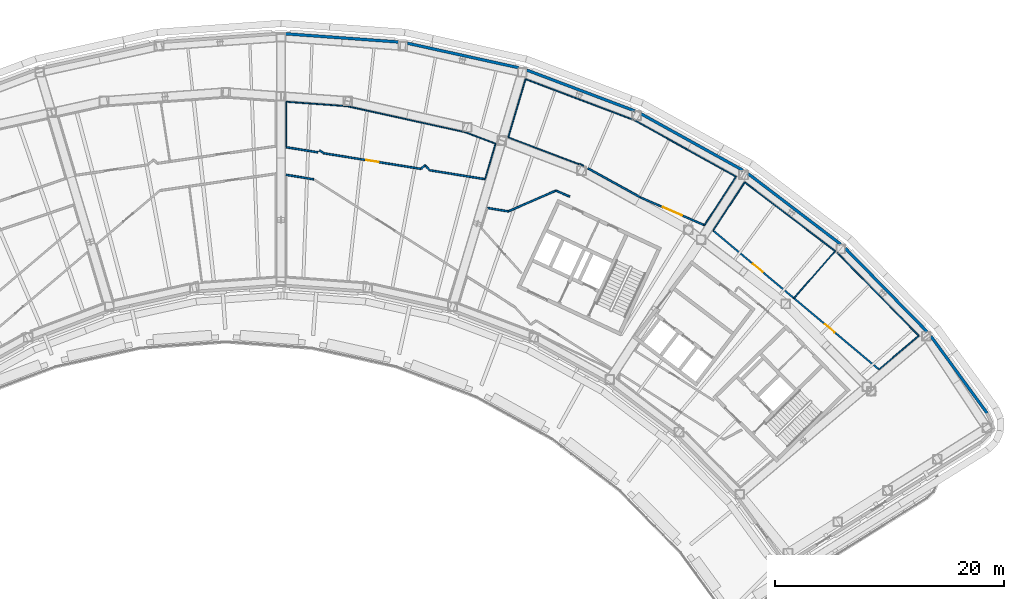
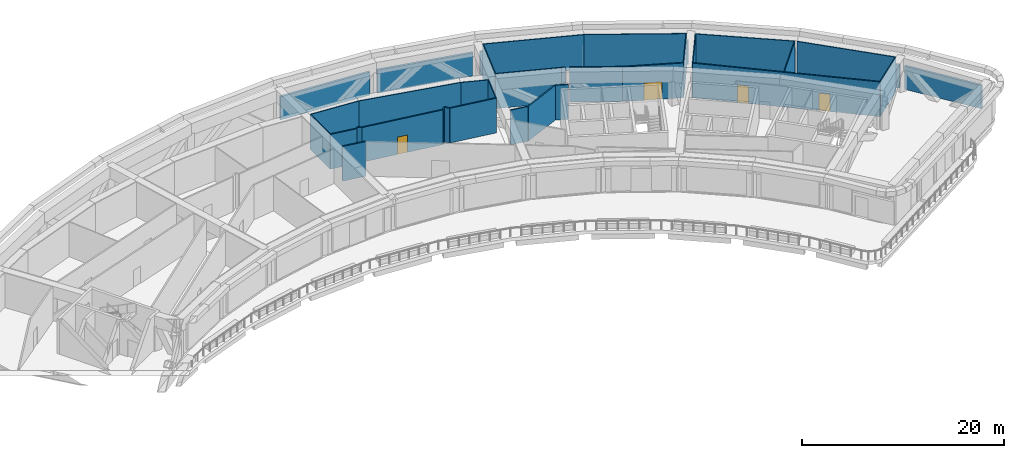
# One storey, part 11 of 25: 36 walls, 4 doors, 4 openings.
"""IFC4 building model written with IfcOpenShell, lengths in metres."""

from ifc_helpers import new_model, si_unit, direction, frame, frame_2d, origin, place, context, subcontext, project, spatial, rectangle, extrude, material, layer, layer_set, type_object, element, fill, save


model = new_model("IFC4")

# Units and contexts
model_context = context("Model", 3, precision=1e-05, world=origin(), true_north=direction((0.0, 1.0)))
body_context = subcontext(model_context, "Body", "Model", "MODEL_VIEW")
ifc_project = project(units=[si_unit("LENGTHUNIT", "METRE"), si_unit("AREAUNIT", "SQUARE_METRE"), si_unit("VOLUMEUNIT", "CUBIC_METRE"), si_unit("PLANEANGLEUNIT", "RADIAN"), si_unit("MASSUNIT", "GRAM", prefix="KILO")], contexts=[model_context])

# Site, building, storey
site_placement = place(None, origin())
site = spatial("IfcSite", under=ifc_project, at=site_placement, CompositionType="ELEMENT")
building_placement = place(site_placement, origin())
building = spatial("IfcBuilding", under=site, at=building_placement, Name="Tuul Gate Civic Tower", CompositionType="ELEMENT")
storey_placement = place(building_placement, frame((0.0, 0.0, 60.89990234375)))
storey = spatial("IfcBuildingStorey", under=building, at=storey_placement, Name="Plant and refuge floor 2", CompositionType="ELEMENT", Elevation=60.89990234375)

# Wall, openings, doors
ifc_material_1 = material(Name="Gypsum board partition")
ifc_layer_1 = layer(ifc_material_1, 0.14990234375)
ifc_layer_set_1 = layer_set([ifc_layer_1], Name="Gypsum board partition")
wall_type_1 = type_object("IfcWallType", Name="Corridor wall P150", PredefinedType="PARTITIONING", material=ifc_layer_set_1)
wall_1_placement = place(storey_placement, frame((42.567626953125, 1.812744140625, 0.0), z_axis=(0.0, 0.0, 1.0), x_axis=(0.766590795082, -0.642135930233, 0.0)))
wall_1 = element("IfcWall", 1, at=wall_1_placement, inside=storey, type_object=wall_type_1, Name="p008", PredefinedType="PARTITIONING", context=body_context, shape_type="SweptSolid", body=[
    extrude(rectangle(XDim=18.892822265625, YDim=0.14990234375, at=frame_2d((9.4462890625, 0.0))), origin(), (0.0, 0.0, 1.0), 4.2001953125),
])
opening_1_placement = place(wall_1_placement, frame((12.74609375, 0.0, 0.0)))
opening_1 = element("IfcOpeningElement", 2, at=opening_1_placement, cuts=wall_1, Name="Opening PA-D022", PredefinedType="OPENING", context=body_context, shape_type="SweptSolid", body=[
    extrude(rectangle(XDim=1.10009765625, YDim=2.10009765625, at=frame_2d((0.550048828125, 1.050048828125))), frame((0.0, 0.0849609375, 0.0), z_axis=(0.0, -1.0, 0.0), x_axis=(1.0, 0.0, 0.0)), (0.0, 0.0, 1.0), 0.169921875),
])
opening_2_placement = place(wall_1_placement, frame((4.550048828125, 0.0, 0.0)))
opening_2 = element("IfcOpeningElement", 3, at=opening_2_placement, cuts=wall_1, Name="Opening PA-D03", PredefinedType="OPENING", context=body_context, shape_type="SweptSolid", body=[
    extrude(rectangle(XDim=1.10009765625, YDim=2.10009765625, at=frame_2d((0.550048828125, 1.050048828125))), frame((0.0, 0.0849609375, 0.0), z_axis=(0.0, -1.0, 0.0), x_axis=(1.0, 0.0, 0.0)), (0.0, 0.0, 1.0), 0.169921875),
])
ifc_material_2 = material(Name="Timber door leaf", Category="wood")
door_type_1 = type_object("IfcDoorType", Name="Door D11", OperationType="NOTDEFINED", PredefinedType="DOOR", material=ifc_material_2)
door_1_placement = place(opening_1_placement, origin())
door_1 = element("IfcDoor", 4, at=door_1_placement, inside=storey, type_object=door_type_1, Name="Door PA-D02", OperationType="SINGLE_SWING_RIGHT", OverallHeight=2.10009765625, OverallWidth=1.10009765625, PredefinedType="DOOR", context=body_context, shape_type="SweptSolid", body=[
    extrude(rectangle(XDim=1.10009765625, YDim=2.10009765625, at=frame_2d((0.550048828125, 1.050048828125))), frame((0.0, 0.02490234375, 0.0), z_axis=(0.0, -1.0, 0.0), x_axis=(1.0, 0.0, 0.0)), (0.0, 0.0, 1.0), 0.050048828125),
])
fill(opening_1, door_1)
door_2_placement = place(opening_2_placement, origin())
door_2 = element("IfcDoor", 5, at=door_2_placement, inside=storey, type_object=door_type_1, Name="Door PA-D03", OperationType="SINGLE_SWING_RIGHT", OverallHeight=2.10009765625, OverallWidth=1.10009765625, PredefinedType="DOOR", context=body_context, shape_type="SweptSolid", body=[
    extrude(rectangle(XDim=1.10009765625, YDim=2.10009765625, at=frame_2d((0.550048828125, 1.050048828125))), frame((0.0, 0.02490234375, 0.0), z_axis=(0.0, -1.0, 0.0), x_axis=(1.0, 0.0, 0.0)), (0.0, 0.0, 1.0), 0.050048828125),
])
fill(opening_2, door_2)

# Walls
wall_2_placement = place(storey_placement, frame((8.16796875, 8.81787109375, 0.0), z_axis=(0.0, 0.0, 1.0), x_axis=(0.844451320283, -0.535632306412, 0.0)))
element("IfcWall", 6, at=wall_2_placement, inside=storey, type_object=wall_type_1, Name="p010", PredefinedType="PARTITIONING", context=body_context, shape_type="SweptSolid", body=[
    extrude(rectangle(XDim=0.470458984375, YDim=0.14990234375, at=frame_2d((0.2353515625, 0.0))), origin(), (0.0, 0.0, 1.0), 4.2001953125),
])
wall_3_placement = place(storey_placement, frame((31.623046875, 7.2578125, 0.0), z_axis=(0.0, 0.0, 1.0), x_axis=(0.874531313559, -0.484969052213, 0.0)))
element("IfcWall", 7, at=wall_3_placement, inside=storey, type_object=wall_type_1, Name="p013", PredefinedType="PARTITIONING", context=body_context, shape_type="SweptSolid", body=[
    extrude(rectangle(XDim=5.26123046875, YDim=0.14990234375, at=frame_2d((2.630615234375, 0.0))), origin(), (0.0, 0.0, 1.0), 4.2001953125),
])

# Wall, opening, door
wall_4_placement = place(storey_placement, frame((36.22412109375, 4.706298828125, 0.0), z_axis=(0.0, 0.0, 1.0), x_axis=(0.917101337534, -0.39865415675, 0.0)))
wall_4 = element("IfcWall", 8, at=wall_4_placement, inside=storey, type_object=wall_type_1, Name="p014", PredefinedType="PARTITIONING", context=body_context, shape_type="SweptSolid", body=[
    extrude(rectangle(XDim=6.079345703125, YDim=0.14990234375, at=frame_2d((3.03955078125, 0.0))), origin(), (0.0, 0.0, 1.0), 4.2001953125),
])
opening_3_placement = place(wall_4_placement, frame((2.1396484375, 0.0, 0.0)))
opening_3 = element("IfcOpeningElement", 9, at=opening_3_placement, cuts=wall_4, Name="Opening PA-D062", PredefinedType="OPENING", context=body_context, shape_type="SweptSolid", body=[
    extrude(rectangle(XDim=1.800048828125, YDim=2.10009765625, at=frame_2d((0.89990234375, 1.050048828125))), frame((0.0, 0.0849609375, 0.0), z_axis=(0.0, -1.0, 0.0), x_axis=(1.0, 0.0, 0.0)), (0.0, 0.0, 1.0), 0.169921875),
])
ifc_material_3 = material(Name="Timber door leaf, double", Category="wood")
door_type_2 = type_object("IfcDoorType", Name="Door D18", OperationType="DOUBLE_DOOR_SINGLE_SWING", PredefinedType="DOOR", material=ifc_material_3)
door_3_placement = place(opening_3_placement, origin())
door_3 = element("IfcDoor", 10, at=door_3_placement, inside=storey, type_object=door_type_2, Name="Door PA-D06", OperationType="DOUBLE_DOOR_SINGLE_SWING", OverallHeight=2.10009765625, OverallWidth=1.800048828125, PredefinedType="DOOR", context=body_context, shape_type="SweptSolid", body=[
    extrude(rectangle(XDim=1.800048828125, YDim=2.10009765625, at=frame_2d((0.89990234375, 1.050048828125))), frame((0.0, 0.02490234375, 0.0), z_axis=(0.0, -1.0, 0.0), x_axis=(1.0, 0.0, 0.0)), (0.0, 0.0, 1.0), 0.050048828125),
])
fill(opening_3, door_3)

# Walls
wall_5_placement = place(storey_placement, frame((17.399658203125, 7.5263671875, 0.0), z_axis=(0.0, 0.0, 1.0), x_axis=(0.666114794858, -0.745849234143, 0.0)))
element("IfcWall", 11, at=wall_5_placement, inside=storey, type_object=wall_type_1, Name="p015", PredefinedType="PARTITIONING", context=body_context, shape_type="SweptSolid", body=[
    extrude(rectangle(XDim=0.587890625, YDim=0.14990234375, at=frame_2d((0.2939453125, 0.0))), origin(), (0.0, 0.0, 1.0), 4.2001953125),
])
wall_6_placement = place(storey_placement, frame((5.258056640625, 6.68701171875, 0.0), z_axis=(0.0, 0.0, 1.0), x_axis=(0.986707938186, -0.162503676023, 0.0)))
element("IfcWall", 12, at=wall_6_placement, inside=storey, type_object=wall_type_1, Name="p017", PredefinedType="PARTITIONING", context=body_context, shape_type="SweptSolid", body=[
    extrude(rectangle(XDim=2.4443359375, YDim=0.14990234375, at=frame_2d((1.22216796875, 0.0))), origin(), (0.0, 0.0, 1.0), 4.2001953125),
])
wall_7_placement = place(storey_placement, frame((22.829833984375, 3.793212890625, 0.0), z_axis=(0.0, 0.0, 1.0), x_axis=(0.986700424364, -0.162549292708, 0.0)))
element("IfcWall", 13, at=wall_7_placement, inside=storey, type_object=wall_type_1, Name="p018", PredefinedType="PARTITIONING", context=body_context, shape_type="SweptSolid", body=[
    extrude(rectangle(XDim=1.8623046875, YDim=0.14990234375, at=frame_2d((0.93115234375, 0.0))), origin(), (0.0, 0.0, 1.0), 4.2001953125),
])
wall_8_placement = place(storey_placement, frame((24.66845703125, 3.490478515625, 0.0), z_axis=(0.0, 0.0, 1.0), x_axis=(0.91645165789, 0.400145422004, 0.0)))
element("IfcWall", 14, at=wall_8_placement, inside=storey, type_object=wall_type_1, Name="p019", PredefinedType="PARTITIONING", context=body_context, shape_type="SweptSolid", body=[
    extrude(rectangle(XDim=4.527099609375, YDim=0.14990234375, at=frame_2d((2.263671875, 0.0))), origin(), (0.0, 0.0, 1.0), 4.2001953125),
])
wall_9_placement = place(storey_placement, frame((28.83349609375, 5.302001953125, 0.0), z_axis=(0.0, 0.0, 1.0), x_axis=(0.917070056253, -0.398726111414, 0.0)))
element("IfcWall", 15, at=wall_9_placement, inside=storey, type_object=wall_type_1, Name="p020", PredefinedType="PARTITIONING", context=body_context, shape_type="SweptSolid", body=[
    extrude(rectangle(XDim=1.310302734375, YDim=0.14990234375, at=frame_2d((0.6552734375, 0.0))), origin(), (0.0, 0.0, 1.0), 4.2001953125),
])
wall_10_placement = place(storey_placement, frame((17.045654296875, 7.210693359375, 0.0), z_axis=(0.0, 0.0, 1.0), x_axis=(0.745672443384, 0.666312694745, 0.0)))
element("IfcWall", 16, at=wall_10_placement, inside=storey, type_object=wall_type_1, Name="p021", PredefinedType="PARTITIONING", context=body_context, shape_type="SweptSolid", body=[
    extrude(rectangle(XDim=0.473876953125, YDim=0.14990234375, at=frame_2d((0.23681640625, 0.0))), origin(), (0.0, 0.0, 1.0), 4.2001953125),
])
wall_11_placement = place(storey_placement, frame((5.258056640625, 9.094970703125, 0.0), z_axis=(0.0, 0.0, 1.0), x_axis=(0.98736712374, -0.158449244104, 0.0)))
element("IfcWall", 17, at=wall_11_placement, inside=storey, type_object=wall_type_1, Name="p022", PredefinedType="PARTITIONING", context=body_context, shape_type="SweptSolid", body=[
    extrude(rectangle(XDim=2.82275390625, YDim=0.14990234375, at=frame_2d((1.411376953125, 0.0))), origin(), (0.0, 0.0, 1.0), 4.2001953125),
])

# Wall, opening, door
wall_12_placement = place(storey_placement, frame((8.57275390625, 8.56298828125, 0.0), z_axis=(0.0, 0.0, 1.0), x_axis=(0.987364560922, -0.158465213331, 0.0)))
wall_12 = element("IfcWall", 18, at=wall_12_placement, inside=storey, type_object=wall_type_1, Name="p023", PredefinedType="PARTITIONING", context=body_context, shape_type="SweptSolid", body=[
    extrude(rectangle(XDim=8.564453125, YDim=0.14990234375, at=frame_2d((4.2822265625, 0.0))), origin(), (0.0, 0.0, 1.0), 4.2001953125),
])
opening_4_placement = place(wall_12_placement, frame((3.732421875, 0.0, 0.0)))
opening_4 = element("IfcOpeningElement", 19, at=opening_4_placement, cuts=wall_12, Name="Opening PA-D08", PredefinedType="OPENING", context=body_context, shape_type="SweptSolid", body=[
    extrude(rectangle(XDim=1.10009765625, YDim=2.10009765625, at=frame_2d((0.550048828125, 1.050048828125))), frame((0.0, 0.0849609375, 0.0), z_axis=(0.0, -1.0, 0.0), x_axis=(1.0, 0.0, 0.0)), (0.0, 0.0, 1.0), 0.169921875),
])
door_4_placement = place(opening_4_placement, origin())
door_4 = element("IfcDoor", 20, at=door_4_placement, inside=storey, type_object=door_type_1, Name="Door PA-D08", OperationType="SINGLE_SWING_RIGHT", OverallHeight=2.10009765625, OverallWidth=1.10009765625, PredefinedType="DOOR", context=body_context, shape_type="SweptSolid", body=[
    extrude(rectangle(XDim=1.10009765625, YDim=2.10009765625, at=frame_2d((0.550048828125, 1.050048828125))), frame((0.0, 0.02490234375, 0.0), z_axis=(0.0, -1.0, 0.0), x_axis=(1.0, 0.0, 0.0)), (0.0, 0.0, 1.0), 0.050048828125),
])
fill(opening_4, door_4)

# Walls
wall_13_placement = place(storey_placement, frame((17.802978515625, 7.08154296875, 0.0), z_axis=(0.0, 0.0, 1.0), x_axis=(0.987363680453, -0.158470699256, 0.0)))
element("IfcWall", 21, at=wall_13_placement, inside=storey, type_object=wall_type_1, Name="p024", PredefinedType="PARTITIONING", context=body_context, shape_type="SweptSolid", body=[
    extrude(rectangle(XDim=4.8974609375, YDim=0.14990234375, at=frame_2d((2.44873046875, 0.0))), origin(), (0.0, 0.0, 1.0), 4.2001953125),
])
ifc_material_4 = material(Name="Precast concrete C40/50", Category="concrete")
ifc_layer_2 = layer(ifc_material_4, 0.25)
ifc_layer_set_2 = layer_set([ifc_layer_2], Name="Precast concrete C40/50")
wall_type_2 = type_object("IfcWallType", Name="External wall 2800 HIGH", PredefinedType="STANDARD", material=ifc_layer_set_2)
wall_14_placement = place(storey_placement, frame((66.498046875, -14.138671875, 0.0), z_axis=(0.0, 0.0, 1.0), x_axis=(-0.589827901293, 0.807528975862, 0.0)))
element("IfcWall", 22, at=wall_14_placement, inside=storey, type_object=wall_type_2, Name="External wall", PredefinedType="STANDARD", context=body_context, shape_type="SweptSolid", body=[
    extrude(rectangle(XDim=8.337890625, YDim=0.25, at=frame_2d((4.1689453125, 0.0))), origin(), (0.0, 0.0, 1.0), 2.800048828125),
])
wall_15_placement = place(storey_placement, frame((61.2431640625, -7.009033203125, 0.0), z_axis=(0.0, 0.0, 1.0), x_axis=(-0.700043638233, 0.714100066216, 0.0)))
element("IfcWall", 23, at=wall_15_placement, inside=storey, type_object=wall_type_2, Name="External wall", PredefinedType="STANDARD", context=body_context, shape_type="SweptSolid", body=[
    extrude(rectangle(XDim=10.1953125, YDim=0.25, at=frame_2d((5.09765625, 0.0))), origin(), (0.0, 0.0, 1.0), 2.800048828125),
])
wall_16_placement = place(storey_placement, frame((53.71630859375, 0.615966796875, 0.0), z_axis=(0.0, 0.0, 1.0), x_axis=(-0.795610476584, 0.605808525485, 0.0)))
element("IfcWall", 24, at=wall_16_placement, inside=storey, type_object=wall_type_2, Name="External wall", PredefinedType="STANDARD", context=body_context, shape_type="SweptSolid", body=[
    extrude(rectangle(XDim=10.1875, YDim=0.25, at=frame_2d((5.09375, 0.0))), origin(), (0.0, 0.0, 1.0), 2.800048828125),
])
wall_17_placement = place(storey_placement, frame((45.159423828125, 7.083984375, 0.0), z_axis=(0.0, 0.0, 1.0), x_axis=(-0.874604551877, 0.484836960055, 0.0)))
element("IfcWall", 25, at=wall_17_placement, inside=storey, type_object=wall_type_2, Name="External wall", PredefinedType="STANDARD", context=body_context, shape_type="SweptSolid", body=[
    extrude(rectangle(XDim=10.16162109375, YDim=0.25, at=frame_2d((5.080810546875, 0.0))), origin(), (0.0, 0.0, 1.0), 2.800048828125),
])
wall_18_placement = place(storey_placement, frame((35.732421875, 12.260986328125, 0.0), z_axis=(0.0, 0.0, 1.0), x_axis=(-0.935343112745, 0.353741800528, 0.0)))
element("IfcWall", 26, at=wall_18_placement, inside=storey, type_object=wall_type_2, Name="External wall", PredefinedType="STANDARD", context=body_context, shape_type="SweptSolid", body=[
    extrude(rectangle(XDim=10.1005859375, YDim=0.25, at=frame_2d((5.05029296875, 0.0))), origin(), (0.0, 0.0, 1.0), 2.800048828125),
])
wall_19_placement = place(storey_placement, frame((25.5830078125, 16.037109375, 0.0), z_axis=(0.0, 0.0, 1.0), x_axis=(-0.976569709229, 0.215201308119, 0.0)))
element("IfcWall", 27, at=wall_19_placement, inside=storey, type_object=wall_type_2, Name="External wall", PredefinedType="STANDARD", context=body_context, shape_type="SweptSolid", body=[
    extrude(rectangle(XDim=9.95849609375, YDim=0.25, at=frame_2d((4.979248046875, 0.0))), origin(), (0.0, 0.0, 1.0), 2.800048828125),
])
wall_20_placement = place(storey_placement, frame((15.05810546875, 18.290283203125, 0.0), z_axis=(0.0, 0.0, 1.0), x_axis=(-0.997387687721, 0.072234343517, 0.0)))
element("IfcWall", 28, at=wall_20_placement, inside=storey, type_object=wall_type_2, Name="External wall", PredefinedType="STANDARD", context=body_context, shape_type="SweptSolid", body=[
    extrude(rectangle(XDim=9.8759765625, YDim=0.25, at=frame_2d((4.93798828125, 0.0))), origin(), (0.0, 0.0, 1.0), 2.800048828125),
])
ifc_material_5 = material(Name="Gypsum board partition")
ifc_layer_3 = layer(ifc_material_5, 0.10009765625)
ifc_layer_set_3 = layer_set([ifc_layer_3], Name="Gypsum board partition")
wall_type_3 = type_object("IfcWallType", Name="Partition P100", PredefinedType="PARTITIONING", material=ifc_layer_set_3)
wall_21_placement = place(storey_placement, frame((49.619384765625, -4.09423828125, 0.0), z_axis=(0.0, 0.0, 1.0), x_axis=(0.659360789577, 0.751826674952, 0.0)))
element("IfcWall", 29, at=wall_21_placement, inside=storey, type_object=wall_type_3, Name="p007", PredefinedType="PARTITIONING", context=body_context, shape_type="SweptSolid", body=[
    extrude(rectangle(XDim=5.468017578125, YDim=0.10009765625, at=frame_2d((2.73388671875, 0.0))), origin(), (0.0, 0.0, 1.0), 4.2001953125),
])
wall_22_placement = place(storey_placement, frame((53.407470703125, -0.122314453125, 0.0), z_axis=(0.0, 0.0, 1.0), x_axis=(0.700007265961, -0.714135720716, 0.0)))
element("IfcWall", 30, at=wall_22_placement, inside=storey, type_object=wall_type_3, Name="p053", PredefinedType="PARTITIONING", context=body_context, shape_type="SweptSolid", body=[
    extrude(rectangle(XDim=10.16064453125, YDim=0.10009765625, at=frame_2d((5.080322265625, 0.0))), origin(), (0.0, 0.0, 1.0), 4.2001953125),
])
wall_23_placement = place(storey_placement, frame((60.52001953125, -7.37841796875, 0.0), z_axis=(0.0, 0.0, 1.0), x_axis=(-0.762826036197, -0.646603772414, 0.0)))
element("IfcWall", 31, at=wall_23_placement, inside=storey, type_object=wall_type_3, Name="p054", PredefinedType="PARTITIONING", context=body_context, shape_type="SweptSolid", body=[
    extrude(rectangle(XDim=4.5478515625, YDim=0.10009765625, at=frame_2d((2.27392578125, 0.0))), origin(), (0.0, 0.0, 1.0), 4.2001953125),
])
wall_24_placement = place(storey_placement, frame((42.567626953125, 1.812744140625, 0.0), z_axis=(0.0, 0.0, 1.0), x_axis=(0.546727223244, 0.837310780633, 0.0)))
element("IfcWall", 32, at=wall_24_placement, inside=storey, type_object=wall_type_3, Name="p055", PredefinedType="PARTITIONING", context=body_context, shape_type="SweptSolid", body=[
    extrude(rectangle(XDim=5.040283203125, YDim=0.10009765625, at=frame_2d((2.52001953125, 0.0))), origin(), (0.0, 0.0, 1.0), 4.2001953125),
])
wall_25_placement = place(storey_placement, frame((45.3232421875, 6.032958984375, 0.0), z_axis=(0.0, 0.0, 1.0), x_axis=(0.795633702081, -0.605778022144, 0.0)))
element("IfcWall", 33, at=wall_25_placement, inside=storey, type_object=wall_type_3, Name="p056", PredefinedType="PARTITIONING", context=body_context, shape_type="SweptSolid", body=[
    extrude(rectangle(XDim=9.93115234375, YDim=0.10009765625, at=frame_2d((4.965576171875, 0.0))), origin(), (0.0, 0.0, 1.0), 4.2001953125),
])
wall_26_placement = place(storey_placement, frame((31.253662109375, 7.46142578125, 0.0), z_axis=(0.0, 0.0, 1.0), x_axis=(-0.874543306316, 0.484947425375, 0.0)))
element("IfcWall", 34, at=wall_26_placement, inside=storey, type_object=wall_type_3, Name="p065", PredefinedType="PARTITIONING", context=body_context, shape_type="SweptSolid", body=[
    extrude(rectangle(XDim=0.417236328125, YDim=0.10009765625, at=frame_2d((0.20849609375, 0.0))), origin(), (0.0, 0.0, 1.0), 4.2001953125),
])
wall_27_placement = place(storey_placement, frame((30.859130859375, 7.610595703125, 0.0), z_axis=(0.0, 0.0, 1.0), x_axis=(-0.935340977393, 0.353747446647, 0.0)))
element("IfcWall", 35, at=wall_27_placement, inside=storey, type_object=wall_type_3, Name="p066", PredefinedType="PARTITIONING", context=body_context, shape_type="SweptSolid", body=[
    extrude(rectangle(XDim=6.6240234375, YDim=0.10009765625, at=frame_2d((3.31201171875, 0.0))), origin(), (0.0, 0.0, 1.0), 4.2001953125),
])
wall_28_placement = place(storey_placement, frame((24.663330078125, 9.953857421875, 0.0), z_axis=(0.0, 0.0, 1.0), x_axis=(0.285200815507, 0.958467784975, 0.0)))
element("IfcWall", 36, at=wall_28_placement, inside=storey, type_object=wall_type_3, Name="p067", PredefinedType="PARTITIONING", context=body_context, shape_type="SweptSolid", body=[
    extrude(rectangle(XDim=5.311767578125, YDim=0.10009765625, at=frame_2d((2.65576171875, 0.0))), origin(), (0.0, 0.0, 1.0), 4.2001953125),
])
wall_29_placement = place(storey_placement, frame((26.17822265625, 15.044921875, 0.0), z_axis=(0.0, 0.0, 1.0), x_axis=(0.935380800195, -0.353642133558, 0.0)))
element("IfcWall", 37, at=wall_29_placement, inside=storey, type_object=wall_type_3, Name="p068", PredefinedType="PARTITIONING", context=body_context, shape_type="SweptSolid", body=[
    extrude(rectangle(XDim=10.16064453125, YDim=0.10009765625, at=frame_2d((5.080322265625, 0.0))), origin(), (0.0, 0.0, 1.0), 4.2001953125),
])
wall_30_placement = place(storey_placement, frame((35.682373046875, 11.45166015625, 0.0), z_axis=(0.0, 0.0, 1.0), x_axis=(0.874598904072, -0.484847148074, 0.0)))
element("IfcWall", 38, at=wall_30_placement, inside=storey, type_object=wall_type_3, Name="p069", PredefinedType="PARTITIONING", context=body_context, shape_type="SweptSolid", body=[
    extrude(rectangle(XDim=10.161376953125, YDim=0.10009765625, at=frame_2d((5.08056640625, 0.0))), origin(), (0.0, 0.0, 1.0), 4.2001953125),
])
wall_31_placement = place(storey_placement, frame((44.569580078125, 6.52490234375, 0.0), z_axis=(0.0, 0.0, 1.0), x_axis=(-0.546735126806, -0.8373056199, 0.0)))
element("IfcWall", 39, at=wall_31_placement, inside=storey, type_object=wall_type_3, Name="p070", PredefinedType="PARTITIONING", context=body_context, shape_type="SweptSolid", body=[
    extrude(rectangle(XDim=5.06640625, YDim=0.10009765625, at=frame_2d((2.533203125, 0.0))), origin(), (0.0, 0.0, 1.0), 4.2001953125),
])
wall_32_placement = place(storey_placement, frame((5.258056640625, 9.094970703125, 0.0), z_axis=(0.0, 0.0, 1.0), x_axis=(0.0, 1.0, 0.0)))
element("IfcWall", 40, at=wall_32_placement, inside=storey, type_object=wall_type_3, Name="p072", PredefinedType="PARTITIONING", context=body_context, shape_type="SweptSolid", body=[
    extrude(rectangle(XDim=3.97119140625, YDim=0.10009765625, at=frame_2d((1.985595703125, 0.0))), origin(), (0.0, 0.0, 1.0), 4.2001953125),
])
wall_33_placement = place(storey_placement, frame((5.258056640625, 13.066162109375, 0.0), z_axis=(0.0, 0.0, 1.0), x_axis=(0.997387422376, -0.072238007213, 0.0)))
element("IfcWall", 41, at=wall_33_placement, inside=storey, type_object=wall_type_3, Name="p073", PredefinedType="PARTITIONING", context=body_context, shape_type="SweptSolid", body=[
    extrude(rectangle(XDim=5.33984375, YDim=0.10009765625, at=frame_2d((2.669921875, 0.0))), origin(), (0.0, 0.0, 1.0), 4.2001953125),
])
wall_34_placement = place(storey_placement, frame((10.583984375, 12.680419921875, 0.0), z_axis=(0.0, 0.0, 1.0), x_axis=(0.976569294882, -0.215203188392, 0.0)))
element("IfcWall", 42, at=wall_34_placement, inside=storey, type_object=wall_type_3, Name="p074", PredefinedType="PARTITIONING", context=body_context, shape_type="SweptSolid", body=[
    extrude(rectangle(XDim=10.613037109375, YDim=0.10009765625, at=frame_2d((5.306640625, 0.0))), origin(), (0.0, 0.0, 1.0), 4.2001953125),
])
wall_35_placement = place(storey_placement, frame((20.9482421875, 10.396484375, 0.0), z_axis=(0.0, 0.0, 1.0), x_axis=(0.93537064086, -0.353669003755, 0.0)))
element("IfcWall", 43, at=wall_35_placement, inside=storey, type_object=wall_type_3, Name="p075", PredefinedType="PARTITIONING", context=body_context, shape_type="SweptSolid", body=[
    extrude(rectangle(XDim=2.79443359375, YDim=0.10009765625, at=frame_2d((1.397216796875, 0.0))), origin(), (0.0, 0.0, 1.0), 4.2001953125),
])
wall_36_placement = place(storey_placement, frame((23.56201171875, 9.408203125, 0.0), z_axis=(0.0, 0.0, 1.0), x_axis=(-0.285223078715, -0.958461160073, 0.0)))
element("IfcWall", 44, at=wall_36_placement, inside=storey, type_object=wall_type_3, Name="p076", PredefinedType="PARTITIONING", context=body_context, shape_type="SweptSolid", body=[
    extrude(rectangle(XDim=3.2373046875, YDim=0.10009765625, at=frame_2d((1.61865234375, 0.0))), origin(), (0.0, 0.0, 1.0), 4.2001953125),
])

save(model, "model.ifc")
